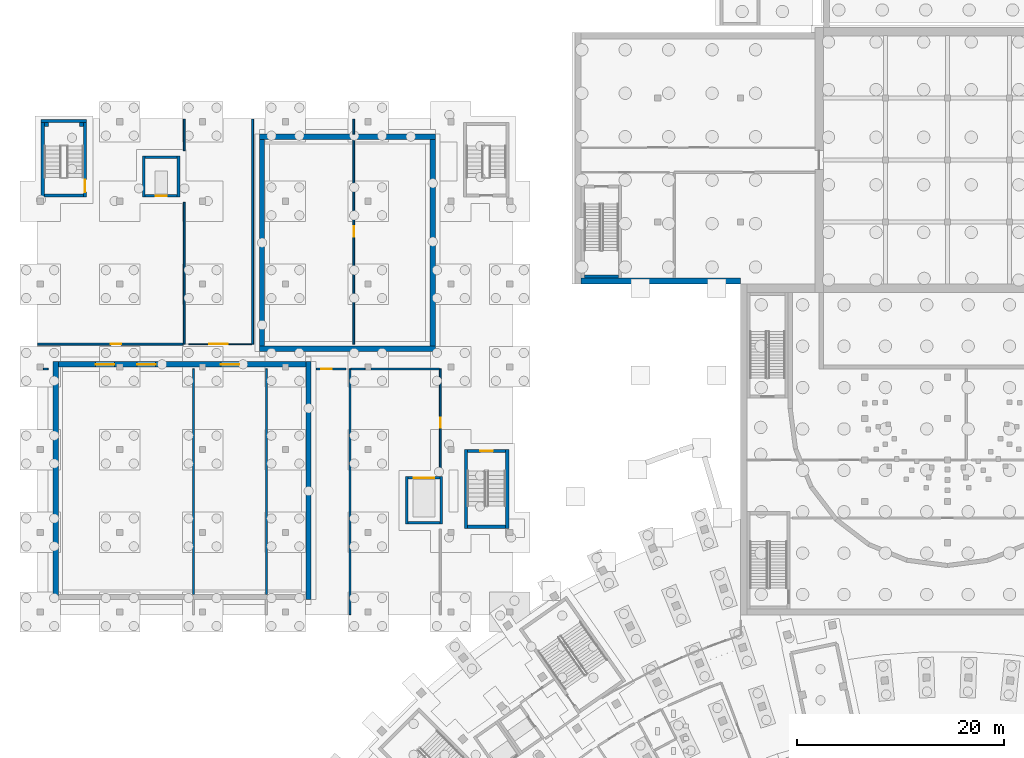
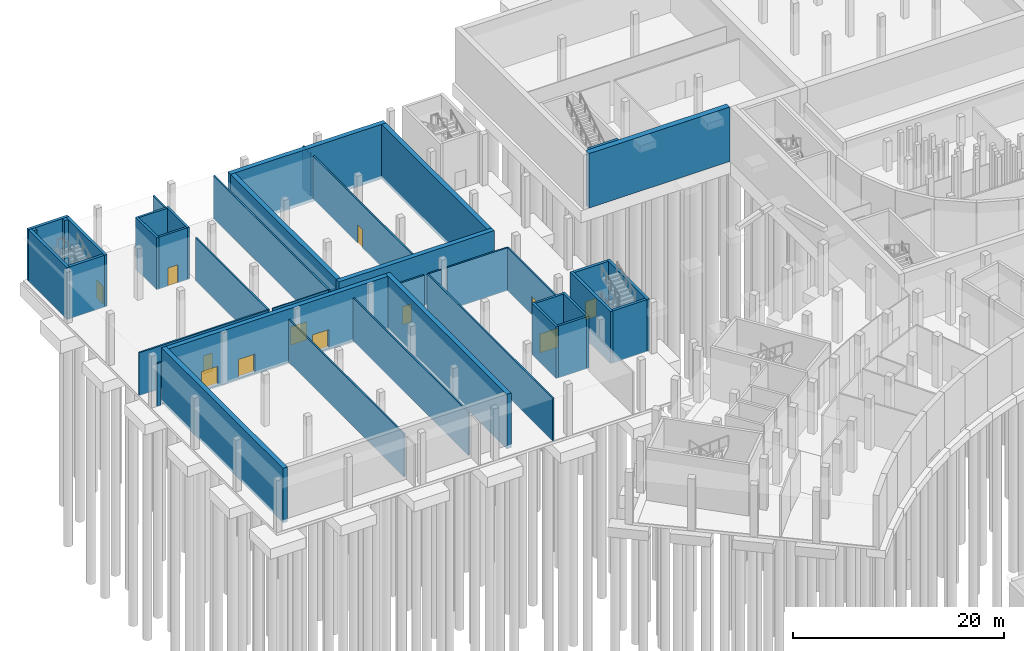
# One storey, part 24 of 66: 42 walls, 12 doors, 12 openings.
"""IFC4 building model written with IfcOpenShell, lengths in metres."""

from ifc_helpers import new_model, si_unit, direction, frame, frame_2d, origin, place, context, subcontext, project, spatial, rectangle, extrude, material, layer, layer_set, type_object, element, fill, save


model = new_model("IFC4")

# Units and contexts
model_context = context("Model", 3, precision=1e-05, world=origin(), true_north=direction((0.0, 1.0)))
body_context = subcontext(model_context, "Body", "Model", "MODEL_VIEW")
ifc_project = project(units=[si_unit("LENGTHUNIT", "METRE"), si_unit("AREAUNIT", "SQUARE_METRE"), si_unit("VOLUMEUNIT", "CUBIC_METRE"), si_unit("PLANEANGLEUNIT", "RADIAN"), si_unit("MASSUNIT", "GRAM", prefix="KILO")], contexts=[model_context])

# Site, building, storey
site_placement = place(None, origin())
site = spatial("IfcSite", under=ifc_project, at=site_placement, CompositionType="ELEMENT")
building_placement = place(site_placement, origin())
building = spatial("IfcBuilding", under=site, at=building_placement, Name="Lunette Opera House", CompositionType="ELEMENT")
storey_placement = place(building_placement, frame((0.0, 0.0, -6.0)))
storey = spatial("IfcBuildingStorey", under=building, at=storey_placement, Name="B1", CompositionType="ELEMENT", Elevation=-6.0)

# Walls
ifc_material_1 = material(Name="Plastered clay blockwork", Category="masonry")
ifc_layer_1 = layer(ifc_material_1, 0.175048828125)
ifc_layer_set_1 = layer_set([ifc_layer_1], Name="Plastered clay blockwork")
wall_type_1 = type_object("IfcWallType", Name="ACOUSTIC BLOCK PARTITION 175", PredefinedType="PARTITIONING", material=ifc_layer_set_1)
for number, where, z_axis, x_axis, name in (
    (1, (23.126953125, 87.800048828125, 0.0), (0.0, 0.0, 1.0), (0.0, -1.0, 0.0), "Partition Chorus Locker Room"),
    (2, (30.18603515625, 87.800048828125, 0.0), (0.0, 0.0, 1.0), (0.0, -1.0, 0.0), "Partition Rehearsal Wing Plant Room"),
):
    element("IfcWall", number, at=place(storey_placement, frame(where, z_axis=z_axis, x_axis=x_axis)), inside=storey, type_object=wall_type_1, Name=name, PredefinedType="PARTITIONING", context=body_context, shape_type="SweptSolid", body=[
        extrude(rectangle(XDim=21.799072265625, YDim=0.175048828125, at=frame_2d((10.8994140625, 0.0))), origin(), (0.0, 0.0, 1.0), 4.949951171875),
    ])
wall_1_placement = place(storey_placement, frame((38.25390625, 64.050048828125, 0.0), z_axis=(0.0, 0.0, 1.0), x_axis=(0.0, 1.0, 0.0)))
element("IfcWall", 3, at=wall_1_placement, inside=storey, type_object=wall_type_1, Name="Partition Rehearsal Wing Plant Room", PredefinedType="PARTITIONING", context=body_context, shape_type="SweptSolid", body=[
    extrude(rectangle(XDim=23.75, YDim=0.175048828125, at=frame_2d((11.875, 0.0))), origin(), (0.0, 0.0, 1.0), 4.949951171875),
])
wall_2_placement = place(storey_placement, frame((22.23095703125, 108.89990234375, 0.0), z_axis=(0.0, 0.0, 1.0), x_axis=(0.0, 1.0, 0.0)))
element("IfcWall", 4, at=wall_2_placement, inside=storey, type_object=wall_type_1, Name="Partition Instrument Store", PredefinedType="PARTITIONING", context=body_context, shape_type="SweptSolid", body=[
    extrude(rectangle(XDim=3.050048828125, YDim=0.175048828125, at=frame_2d((1.52490234375, 0.0))), origin(), (0.0, 0.0, 1.0), 4.949951171875),
])
wall_3_placement = place(storey_placement, frame((22.23095703125, 90.199951171875, 0.0), z_axis=(0.0, 0.0, 1.0), x_axis=(0.0, 1.0, 0.0)))
element("IfcWall", 5, at=wall_3_placement, inside=storey, type_object=wall_type_1, Name="Partition Instrument Store", PredefinedType="PARTITIONING", context=body_context, shape_type="SweptSolid", body=[
    extrude(rectangle(XDim=13.699951171875, YDim=0.175048828125, at=frame_2d((6.85009765625, 0.0))), origin(), (0.0, 0.0, 1.0), 4.949951171875),
])
wall_4_placement = place(storey_placement, frame((28.8369140625, 111.949951171875, 0.0), z_axis=(0.0, 0.0, 1.0), x_axis=(0.0, -1.0, 0.0)))
element("IfcWall", 6, at=wall_4_placement, inside=storey, type_object=wall_type_1, Name="Partition Switchgear Room", PredefinedType="PARTITIONING", context=body_context, shape_type="SweptSolid", body=[
    extrude(rectangle(XDim=21.75, YDim=0.175048828125, at=frame_2d((10.875, 0.0))), origin(), (0.0, 0.0, 1.0), 4.949951171875),
])
wall_5_placement = place(storey_placement, frame((38.613037109375, 110.5009765625, 0.0), z_axis=(0.0, 0.0, 1.0), x_axis=(0.0, 1.0, 0.0)))
element("IfcWall", 7, at=wall_5_placement, inside=storey, type_object=wall_type_1, Name="Partition Switchgear Room", PredefinedType="PARTITIONING", context=body_context, shape_type="SweptSolid", body=[
    extrude(rectangle(XDim=1.448974609375, YDim=0.175048828125, at=frame_2d((0.724609375, 0.0))), origin(), (0.0, 0.0, 1.0), 4.949951171875),
])

# Wall, opening, door
wall_6_placement = place(storey_placement, frame((38.613037109375, 90.199951171875, 0.0), z_axis=(0.0, 0.0, 1.0), x_axis=(0.0, 1.0, 0.0)))
wall_6 = element("IfcWall", 8, at=wall_6_placement, inside=storey, type_object=wall_type_1, Name="Partition Switchgear Room", PredefinedType="PARTITIONING", context=body_context, shape_type="SweptSolid", body=[
    extrude(rectangle(XDim=19.799072265625, YDim=0.175048828125, at=frame_2d((9.8994140625, 0.0))), origin(), (0.0, 0.0, 1.0), 4.949951171875),
])
opening_1_placement = place(wall_6_placement, frame((10.39990234375, 0.0, 0.0)))
opening_1 = element("IfcOpeningElement", 9, at=opening_1_placement, cuts=wall_6, Name="Opening RW-D3007", PredefinedType="OPENING", context=body_context, shape_type="SweptSolid", body=[
    extrude(rectangle(XDim=1.0, YDim=2.10009765625, at=frame_2d((0.5, 1.050048828125))), frame((0.0, 0.099609375, 0.0), z_axis=(0.0, -1.0, 0.0), x_axis=(1.0, 0.0, 0.0)), (0.0, 0.0, 1.0), 0.198974609375),
])
ifc_material_2 = material(Name="Timber", Category="wood")
door_type_1 = type_object("IfcDoorType", Name="FLUSH DOOR 1000 X 2100", OperationType="SINGLE_SWING_LEFT", PredefinedType="DOOR", material=ifc_material_2)
door_1_placement = place(opening_1_placement, origin())
door_1 = element("IfcDoor", 10, at=door_1_placement, inside=storey, type_object=door_type_1, Name="Switchgear Room door", OperationType="SINGLE_SWING_RIGHT", OverallHeight=2.10009765625, OverallWidth=1.0, PredefinedType="DOOR", context=body_context, shape_type="SweptSolid", body=[
    extrude(rectangle(XDim=1.0, YDim=2.10009765625, at=frame_2d((0.5, 1.050048828125))), frame((0.0, 0.02490234375, 0.0), z_axis=(0.0, -1.0, 0.0), x_axis=(1.0, 0.0, 0.0)), (0.0, 0.0, 1.0), 0.050048828125),
])
fill(opening_1, door_1)

# Wall
wall_7_placement = place(storey_placement, frame((8.60107421875, 87.800048828125, 0.0), z_axis=(0.0, 0.0, 1.0), x_axis=(1.0, 0.0, 0.0)))
element("IfcWall", 11, at=wall_7_placement, inside=storey, type_object=wall_type_1, Name="Partition Service Corridor B1 Rehearsal", PredefinedType="PARTITIONING", context=body_context, shape_type="SweptSolid", body=[
    extrude(rectangle(XDim=0.458984375, YDim=0.175048828125, at=frame_2d((0.2294921875, 0.0))), origin(), (0.0, 0.0, 1.0), 4.949951171875),
])

# Wall, opening, door
wall_8_placement = place(storey_placement, frame((8.050048828125, 90.199951171875, 0.0), z_axis=(0.0, 0.0, 1.0), x_axis=(1.0, 0.0, 0.0)))
wall_8 = element("IfcWall", 12, at=wall_8_placement, inside=storey, type_object=wall_type_1, Name="Partition Instrument Store", PredefinedType="PARTITIONING", context=body_context, shape_type="SweptSolid", body=[
    extrude(rectangle(XDim=14.093017578125, YDim=0.175048828125, at=frame_2d((7.04638671875, 0.0))), origin(), (0.0, 0.0, 1.0), 4.949951171875),
])
opening_2_placement = place(wall_8_placement, frame((7.06591796875, 0.0, 0.0)))
opening_2 = element("IfcOpeningElement", 13, at=opening_2_placement, cuts=wall_8, Name="Opening RW-D3003", PredefinedType="OPENING", context=body_context, shape_type="SweptSolid", body=[
    extrude(rectangle(XDim=1.0, YDim=2.10009765625, at=frame_2d((0.5, 1.050048828125))), frame((0.0, 0.099609375, 0.0), z_axis=(0.0, -1.0, 0.0), x_axis=(1.0, 0.0, 0.0)), (0.0, 0.0, 1.0), 0.198974609375),
])
door_2_placement = place(opening_2_placement, origin())
door_2 = element("IfcDoor", 14, at=door_2_placement, inside=storey, type_object=door_type_1, Name="Instrument Store door", OperationType="SINGLE_SWING_RIGHT", OverallHeight=2.10009765625, OverallWidth=1.0, PredefinedType="DOOR", context=body_context, shape_type="SweptSolid", body=[
    extrude(rectangle(XDim=1.0, YDim=2.10009765625, at=frame_2d((0.5, 1.050048828125))), frame((0.0, 0.02490234375, 0.0), z_axis=(0.0, -1.0, 0.0), x_axis=(1.0, 0.0, 0.0)), (0.0, 0.0, 1.0), 0.050048828125),
])
fill(opening_2, door_2)

wall_9_placement = place(storey_placement, frame((46.97412109375, 77.89990234375, 0.0), z_axis=(0.0, 0.0, 1.0), x_axis=(0.0, 1.0, 0.0)))
wall_9 = element("IfcWall", 15, at=wall_9_placement, inside=storey, type_object=wall_type_1, Name="Partition Generator Room", PredefinedType="PARTITIONING", context=body_context, shape_type="SweptSolid", body=[
    extrude(rectangle(XDim=9.900146484375, YDim=0.175048828125, at=frame_2d((4.9501953125, 0.0))), origin(), (0.0, 0.0, 1.0), 4.949951171875),
])
opening_3_placement = place(wall_9_placement, frame((4.199951171875, 0.0, 0.0)))
opening_3 = element("IfcOpeningElement", 16, at=opening_3_placement, cuts=wall_9, Name="Opening RW-D3008", PredefinedType="OPENING", context=body_context, shape_type="SweptSolid", body=[
    extrude(rectangle(XDim=1.0, YDim=2.10009765625, at=frame_2d((0.5, 1.050048828125))), frame((0.0, 0.099609375, 0.0), z_axis=(0.0, -1.0, 0.0), x_axis=(1.0, 0.0, 0.0)), (0.0, 0.0, 1.0), 0.198974609375),
])
door_3_placement = place(opening_3_placement, origin())
door_3 = element("IfcDoor", 17, at=door_3_placement, inside=storey, type_object=door_type_1, Name="Generator Room door", OperationType="SINGLE_SWING_LEFT", OverallHeight=2.10009765625, OverallWidth=1.0, PredefinedType="DOOR", context=body_context, shape_type="SweptSolid", body=[
    extrude(rectangle(XDim=1.0, YDim=2.10009765625, at=frame_2d((0.5, 1.050048828125))), frame((0.0, 0.02490234375, 0.0), z_axis=(0.0, -1.0, 0.0), x_axis=(1.0, 0.0, 0.0)), (0.0, 0.0, 1.0), 0.050048828125),
])
fill(opening_3, door_3)

# Walls
wall_10_placement = place(storey_placement, frame((39.699951171875, 87.800048828125, 0.0), z_axis=(0.0, 0.0, 1.0), x_axis=(-1.0, 0.0, 0.0)))
element("IfcWall", 18, at=wall_10_placement, inside=storey, type_object=wall_type_1, Name="Partition Generator Room", PredefinedType="PARTITIONING", context=body_context, shape_type="SweptSolid", body=[
    extrude(rectangle(XDim=1.35791015625, YDim=0.175048828125, at=frame_2d((0.678955078125, 0.0))), origin(), (0.0, 0.0, 1.0), 4.949951171875),
])
wall_11_placement = place(storey_placement, frame((46.885986328125, 87.800048828125, 0.0), z_axis=(0.0, 0.0, 1.0), x_axis=(-1.0, 0.0, 0.0)))
element("IfcWall", 19, at=wall_11_placement, inside=storey, type_object=wall_type_1, Name="Partition Generator Room", PredefinedType="PARTITIONING", context=body_context, shape_type="SweptSolid", body=[
    extrude(rectangle(XDim=6.5859375, YDim=0.175048828125, at=frame_2d((3.29296875, 0.0))), origin(), (0.0, 0.0, 1.0), 4.949951171875),
])

# Wall, opening, door
wall_12_placement = place(storey_placement, frame((37.842041015625, 87.800048828125, 0.0), z_axis=(0.0, 0.0, 1.0), x_axis=(-1.0, 0.0, 0.0)))
wall_12 = element("IfcWall", 20, at=wall_12_placement, inside=storey, type_object=wall_type_1, Name="Partition Rehearsal Wing Plant Room", PredefinedType="PARTITIONING", context=body_context, shape_type="SweptSolid", body=[
    extrude(rectangle(XDim=2.842041015625, YDim=0.175048828125, at=frame_2d((1.4208984375, 0.0))), origin(), (0.0, 0.0, 1.0), 4.949951171875),
])
opening_4_placement = place(wall_12_placement, frame((1.3720703125, 0.0, 0.0)))
opening_4 = element("IfcOpeningElement", 21, at=opening_4_placement, cuts=wall_12, Name="Opening RW-D3006", PredefinedType="OPENING", context=body_context, shape_type="SweptSolid", body=[
    extrude(rectangle(XDim=1.0, YDim=2.10009765625, at=frame_2d((0.5, 1.050048828125))), frame((0.0, 0.099609375, 0.0), z_axis=(0.0, -1.0, 0.0), x_axis=(1.0, 0.0, 0.0)), (0.0, 0.0, 1.0), 0.198974609375),
])
door_4_placement = place(opening_4_placement, origin())
door_4 = element("IfcDoor", 22, at=door_4_placement, inside=storey, type_object=door_type_1, Name="Rehearsal Wing Plant Room door", OperationType="SINGLE_SWING_RIGHT", OverallHeight=2.10009765625, OverallWidth=1.0, PredefinedType="DOOR", context=body_context, shape_type="SweptSolid", body=[
    extrude(rectangle(XDim=1.0, YDim=2.10009765625, at=frame_2d((0.5, 1.050048828125))), frame((0.0, 0.02490234375, 0.0), z_axis=(0.0, -1.0, 0.0), x_axis=(1.0, 0.0, 0.0)), (0.0, 0.0, 1.0), 0.050048828125),
])
fill(opening_4, door_4)

# Walls
ifc_material_3 = material(Name="Concrete C35/45", Category="concrete")
ifc_layer_2 = layer(ifc_material_3, 0.25)
ifc_layer_set_2 = layer_set([ifc_layer_2], Name="Concrete C35/45")
wall_type_2 = type_object("IfcWallType", Name="RC LIFT SHAFT WALL 250", PredefinedType="SOLIDWALL", material=ifc_layer_set_2)
wall_13_placement = place(storey_placement, frame((21.675048828125, 104.39990234375, 0.0), z_axis=(0.0, 0.0, 1.0), x_axis=(0.0, 1.0, 0.0)))
element("IfcWall", 23, at=wall_13_placement, inside=storey, type_object=wall_type_2, Name="LF5 shaft wall 1", PredefinedType="SOLIDWALL", context=body_context, shape_type="SweptSolid", body=[
    extrude(rectangle(XDim=4.0, YDim=0.25, at=frame_2d((2.0, 0.0))), origin(), (0.0, 0.0, 1.0), 6.0),
])
wall_14_placement = place(storey_placement, frame((21.550048828125, 108.27490234375, 0.0), z_axis=(0.0, 0.0, 1.0), x_axis=(-1.0, 0.0, 0.0)))
element("IfcWall", 24, at=wall_14_placement, inside=storey, type_object=wall_type_2, Name="LF5 shaft wall 2", PredefinedType="SOLIDWALL", context=body_context, shape_type="SweptSolid", body=[
    extrude(rectangle(XDim=3.10009765625, YDim=0.25, at=frame_2d((1.550048828125, 0.0))), origin(), (0.0, 0.0, 1.0), 6.0),
])
wall_15_placement = place(storey_placement, frame((18.324951171875, 108.39990234375, 0.0), z_axis=(0.0, 0.0, 1.0), x_axis=(0.0, -1.0, 0.0)))
element("IfcWall", 25, at=wall_15_placement, inside=storey, type_object=wall_type_2, Name="LF5 shaft wall 3", PredefinedType="SOLIDWALL", context=body_context, shape_type="SweptSolid", body=[
    extrude(rectangle(XDim=4.0, YDim=0.25, at=frame_2d((2.0, 0.0))), origin(), (0.0, 0.0, 1.0), 6.0),
])

# Wall, opening, door
wall_16_placement = place(storey_placement, frame((18.449951171875, 104.52490234375, 0.0), z_axis=(0.0, 0.0, 1.0), x_axis=(1.0, 0.0, 0.0)))
wall_16 = element("IfcWall", 26, at=wall_16_placement, inside=storey, type_object=wall_type_2, Name="LF5 shaft wall 4", PredefinedType="SOLIDWALL", context=body_context, shape_type="SweptSolid", body=[
    extrude(rectangle(XDim=3.10009765625, YDim=0.25, at=frame_2d((1.550048828125, 0.0))), origin(), (0.0, 0.0, 1.0), 6.0),
])
opening_5_placement = place(wall_16_placement, frame((1.0, 0.0, 0.0)))
opening_5 = element("IfcOpeningElement", 27, at=opening_5_placement, cuts=wall_16, Name="Opening RW-LD001", PredefinedType="OPENING", context=body_context, shape_type="SweptSolid", body=[
    extrude(rectangle(XDim=1.10009765625, YDim=2.10009765625, at=frame_2d((0.550048828125, 1.050048828125))), frame((0.0, 0.136962890625, 0.0), z_axis=(0.0, -1.0, 0.0), x_axis=(1.0, 0.0, 0.0)), (0.0, 0.0, 1.0), 0.27392578125),
])
ifc_material_4 = material(Name="Stainless steel", Category="steel")
door_type_2 = type_object("IfcDoorType", Name="LIFT LANDING DOOR 1100 X 2100", OperationType="DOUBLE_DOOR_SLIDING", PredefinedType="DOOR", material=ifc_material_4)
door_5_placement = place(opening_5_placement, origin())
door_5 = element("IfcDoor", 28, at=door_5_placement, inside=storey, type_object=door_type_2, Name="LF5 lift landing door", OperationType="DOUBLE_DOOR_SLIDING", OverallHeight=2.10009765625, OverallWidth=1.10009765625, PredefinedType="DOOR", context=body_context, shape_type="SweptSolid", body=[
    extrude(rectangle(XDim=1.10009765625, YDim=2.10009765625, at=frame_2d((0.550048828125, 1.050048828125))), frame((0.0, 0.02490234375, 0.0), z_axis=(0.0, -1.0, 0.0), x_axis=(1.0, 0.0, 0.0)), (0.0, 0.0, 1.0), 0.050048828125),
])
fill(opening_5, door_5)

# Wall
wall_17_placement = place(storey_placement, frame((47.074951171875, 72.800048828125, 0.0), z_axis=(0.0, 0.0, 1.0), x_axis=(0.0, 1.0, 0.0)))
element("IfcWall", 29, at=wall_17_placement, inside=storey, type_object=wall_type_2, Name="LG1 shaft wall 1", PredefinedType="SOLIDWALL", context=body_context, shape_type="SweptSolid", body=[
    extrude(rectangle(XDim=4.599853515625, YDim=0.25, at=frame_2d((2.2998046875, 0.0))), origin(), (0.0, 0.0, 1.0), 6.0),
])

# Wall, opening, door
wall_18_placement = place(storey_placement, frame((46.949951171875, 77.27490234375, 0.0), z_axis=(0.0, 0.0, 1.0), x_axis=(-1.0, 0.0, 0.0)))
wall_18 = element("IfcWall", 30, at=wall_18_placement, inside=storey, type_object=wall_type_2, Name="LG1 shaft wall 2", PredefinedType="SOLIDWALL", context=body_context, shape_type="SweptSolid", body=[
    extrude(rectangle(XDim=3.099853515625, YDim=0.25, at=frame_2d((1.5498046875, 0.0))), origin(), (0.0, 0.0, 1.0), 6.0),
])
opening_6_placement = place(wall_18_placement, frame((0.550048828125, 0.0, 0.0)))
opening_6 = element("IfcOpeningElement", 31, at=opening_6_placement, cuts=wall_18, Name="Opening RW-LD007", PredefinedType="OPENING", context=body_context, shape_type="SweptSolid", body=[
    extrude(rectangle(XDim=2.0, YDim=2.199951171875, at=frame_2d((1.0, 1.10009765625))), frame((0.0, 0.136962890625, 0.0), z_axis=(0.0, -1.0, 0.0), x_axis=(1.0, 0.0, 0.0)), (0.0, 0.0, 1.0), 0.27392578125),
])
ifc_material_5 = material(Name="Stainless steel", Category="steel")
door_type_3 = type_object("IfcDoorType", Name="LIFT LANDING DOOR 2000 X 2200", OperationType="DOUBLE_DOOR_SLIDING", PredefinedType="DOOR", material=ifc_material_5)
door_6_placement = place(opening_6_placement, origin())
door_6 = element("IfcDoor", 32, at=door_6_placement, inside=storey, type_object=door_type_3, Name="LG1 lift landing door", OperationType="DOUBLE_DOOR_SLIDING", OverallHeight=2.199951171875, OverallWidth=2.0, PredefinedType="DOOR", context=body_context, shape_type="SweptSolid", body=[
    extrude(rectangle(XDim=2.0, YDim=2.199951171875, at=frame_2d((1.0, 1.10009765625))), frame((0.0, 0.02490234375, 0.0), z_axis=(0.0, -1.0, 0.0), x_axis=(1.0, 0.0, 0.0)), (0.0, 0.0, 1.0), 0.050048828125),
])
fill(opening_6, door_6)

# Walls
wall_19_placement = place(storey_placement, frame((43.72509765625, 77.39990234375, 0.0), z_axis=(0.0, 0.0, 1.0), x_axis=(0.0, -1.0, 0.0)))
element("IfcWall", 33, at=wall_19_placement, inside=storey, type_object=wall_type_2, Name="LG1 shaft wall 3", PredefinedType="SOLIDWALL", context=body_context, shape_type="SweptSolid", body=[
    extrude(rectangle(XDim=4.599853515625, YDim=0.25, at=frame_2d((2.2998046875, 0.0))), origin(), (0.0, 0.0, 1.0), 6.0),
])
wall_20_placement = place(storey_placement, frame((43.85009765625, 72.925048828125, 0.0), z_axis=(0.0, 0.0, 1.0), x_axis=(1.0, 0.0, 0.0)))
element("IfcWall", 34, at=wall_20_placement, inside=storey, type_object=wall_type_2, Name="LG1 shaft wall 4", PredefinedType="SOLIDWALL", context=body_context, shape_type="SweptSolid", body=[
    extrude(rectangle(XDim=3.099853515625, YDim=0.25, at=frame_2d((1.5498046875, 0.0))), origin(), (0.0, 0.0, 1.0), 6.0),
])
ifc_material_6 = material(Name="Concrete C35/45", Category="concrete")
ifc_layer_3 = layer(ifc_material_6, 0.39990234375)
ifc_layer_set_3 = layer_set([ifc_layer_3], Name="Concrete C35/45")
wall_type_3 = type_object("IfcWallType", Name="RC PILASTER 400", PredefinedType="SOLIDWALL", material=ifc_layer_set_3)
wall_21_placement = place(storey_placement, frame((12.5, 111.43505859375, 0.0), z_axis=(0.0, 0.0, 1.0), x_axis=(-1.0, 0.0, 0.0)))
element("IfcWall", 35, at=wall_21_placement, inside=storey, type_object=wall_type_3, Name="ST15 pilaster 1", PredefinedType="SOLIDWALL", context=body_context, shape_type="SweptSolid", body=[
    extrude(rectangle(XDim=0.39990234375, YDim=0.39990234375, at=frame_2d((0.199951171875, 0.0))), origin(), (0.0, 0.0, 1.0), 6.0),
])
wall_22_placement = place(storey_placement, frame((9.10009765625, 111.43505859375, 0.0), z_axis=(0.0, 0.0, 1.0), x_axis=(-1.0, 0.0, 0.0)))
element("IfcWall", 36, at=wall_22_placement, inside=storey, type_object=wall_type_3, Name="ST15 pilaster 2", PredefinedType="SOLIDWALL", context=body_context, shape_type="SweptSolid", body=[
    extrude(rectangle(XDim=0.400146484375, YDim=0.39990234375, at=frame_2d((0.2001953125, 0.0))), origin(), (0.0, 0.0, 1.0), 6.0),
])
ifc_material_7 = material(Name="Concrete C35/45", Category="concrete")
ifc_layer_4 = layer(ifc_material_7, 0.300048828125)
ifc_layer_set_4 = layer_set([ifc_layer_4], Name="Concrete C35/45")
wall_type_4 = type_object("IfcWallType", Name="RC STAIR ENCLOSURE WALL 300", PredefinedType="SOLIDWALL", material=ifc_layer_set_4)
wall_23_placement = place(storey_placement, frame((60.89990234375, 96.75, 0.0), z_axis=(0.0, 0.0, 1.0), x_axis=(1.0, 0.0, 0.0)))
element("IfcWall", 37, at=wall_23_placement, inside=storey, type_object=wall_type_4, Name="ST13 enclosure wall 4", PredefinedType="SOLIDWALL", context=body_context, shape_type="SweptSolid", body=[
    extrude(rectangle(XDim=3.300048828125, YDim=0.300048828125, at=frame_2d((1.64990234375, 0.0))), origin(), (0.0, 0.0, 1.0), 6.0),
])

# Wall, opening, door
wall_24_placement = place(storey_placement, frame((12.64990234375, 104.39990234375, 0.0), z_axis=(0.0, 0.0, 1.0), x_axis=(0.0, 1.0, 0.0)))
wall_24 = element("IfcWall", 38, at=wall_24_placement, inside=storey, type_object=wall_type_4, Name="ST15 enclosure wall 1", PredefinedType="SOLIDWALL", context=body_context, shape_type="SweptSolid", body=[
    extrude(rectangle(XDim=7.235107421875, YDim=0.300048828125, at=frame_2d((3.61767578125, 0.0))), origin(), (0.0, 0.0, 1.0), 6.0),
])
opening_7_placement = place(wall_24_placement, frame((0.5, 0.0, 0.0)))
opening_7 = element("IfcOpeningElement", 39, at=opening_7_placement, cuts=wall_24, Name="Opening RW-D7001", PredefinedType="OPENING", context=body_context, shape_type="SweptSolid", body=[
    extrude(rectangle(XDim=1.199951171875, YDim=2.10009765625, at=frame_2d((0.60009765625, 1.050048828125))), frame((0.0, 0.162109375, 0.0), z_axis=(0.0, -1.0, 0.0), x_axis=(1.0, 0.0, 0.0)), (0.0, 0.0, 1.0), 0.323974609375),
])
ifc_material_8 = material(Name="Steel", Category="steel")
door_type_4 = type_object("IfcDoorType", Name="FIRE DOOR 1200 X 2100", OperationType="SINGLE_SWING_LEFT", PredefinedType="DOOR", material=ifc_material_8)
door_7_placement = place(opening_7_placement, origin())
door_7 = element("IfcDoor", 40, at=door_7_placement, inside=storey, type_object=door_type_4, Name="ST15 stair door", OperationType="SINGLE_SWING_LEFT", OverallHeight=2.10009765625, OverallWidth=1.199951171875, PredefinedType="DOOR", context=body_context, shape_type="SweptSolid", body=[
    extrude(rectangle(XDim=1.199951171875, YDim=2.10009765625, at=frame_2d((0.60009765625, 1.050048828125))), frame((0.0, 0.02490234375, 0.0), z_axis=(0.0, -1.0, 0.0), x_axis=(1.0, 0.0, 0.0)), (0.0, 0.0, 1.0), 0.050048828125),
])
fill(opening_7, door_7)

# Walls
wall_25_placement = place(storey_placement, frame((12.800048828125, 111.784912109375, 0.0), z_axis=(0.0, 0.0, 1.0), x_axis=(-1.0, 0.0, 0.0)))
element("IfcWall", 41, at=wall_25_placement, inside=storey, type_object=wall_type_4, Name="ST15 enclosure wall 2", PredefinedType="SOLIDWALL", context=body_context, shape_type="SweptSolid", body=[
    extrude(rectangle(XDim=4.400146484375, YDim=0.300048828125, at=frame_2d((2.2001953125, 0.0))), origin(), (0.0, 0.0, 1.0), 6.0),
])
wall_26_placement = place(storey_placement, frame((8.550048828125, 111.635009765625, 0.0), z_axis=(0.0, 0.0, 1.0), x_axis=(0.0, -1.0, 0.0)))
element("IfcWall", 42, at=wall_26_placement, inside=storey, type_object=wall_type_4, Name="ST15 enclosure wall 3", PredefinedType="SOLIDWALL", context=body_context, shape_type="SweptSolid", body=[
    extrude(rectangle(XDim=7.235107421875, YDim=0.300048828125, at=frame_2d((3.61767578125, 0.0))), origin(), (0.0, 0.0, 1.0), 6.0),
])
wall_27_placement = place(storey_placement, frame((8.699951171875, 104.550048828125, 0.0), z_axis=(0.0, 0.0, 1.0), x_axis=(1.0, 0.0, 0.0)))
element("IfcWall", 43, at=wall_27_placement, inside=storey, type_object=wall_type_4, Name="ST15 enclosure wall 4", PredefinedType="SOLIDWALL", context=body_context, shape_type="SweptSolid", body=[
    extrude(rectangle(XDim=3.800048828125, YDim=0.300048828125, at=frame_2d((1.89990234375, 0.0))), origin(), (0.0, 0.0, 1.0), 6.0),
])
wall_28_placement = place(storey_placement, frame((53.449951171875, 72.39990234375, 0.0), z_axis=(0.0, 0.0, 1.0), x_axis=(0.0, 1.0, 0.0)))
element("IfcWall", 44, at=wall_28_placement, inside=storey, type_object=wall_type_4, Name="ST16 enclosure wall 1", PredefinedType="SOLIDWALL", context=body_context, shape_type="SweptSolid", body=[
    extrude(rectangle(XDim=7.60009765625, YDim=0.300048828125, at=frame_2d((3.800048828125, 0.0))), origin(), (0.0, 0.0, 1.0), 6.0),
])

# Wall, opening, door
wall_29_placement = place(storey_placement, frame((53.300048828125, 79.85009765625, 0.0), z_axis=(0.0, 0.0, 1.0), x_axis=(-1.0, 0.0, 0.0)))
wall_29 = element("IfcWall", 45, at=wall_29_placement, inside=storey, type_object=wall_type_4, Name="ST16 enclosure wall 2", PredefinedType="SOLIDWALL", context=body_context, shape_type="SweptSolid", body=[
    extrude(rectangle(XDim=3.699951171875, YDim=0.300048828125, at=frame_2d((1.85009765625, 0.0))), origin(), (0.0, 0.0, 1.0), 6.0),
])
opening_8_placement = place(wall_29_placement, frame((1.25, 0.0, 0.0)))
opening_8 = element("IfcOpeningElement", 46, at=opening_8_placement, cuts=wall_29, Name="Opening RW-D7007", PredefinedType="OPENING", context=body_context, shape_type="SweptSolid", body=[
    extrude(rectangle(XDim=1.199951171875, YDim=2.10009765625, at=frame_2d((0.60009765625, 1.050048828125))), frame((0.0, 0.162109375, 0.0), z_axis=(0.0, -1.0, 0.0), x_axis=(1.0, 0.0, 0.0)), (0.0, 0.0, 1.0), 0.323974609375),
])
door_8_placement = place(opening_8_placement, origin())
door_8 = element("IfcDoor", 47, at=door_8_placement, inside=storey, type_object=door_type_4, Name="ST16 stair door", OperationType="SINGLE_SWING_LEFT", OverallHeight=2.10009765625, OverallWidth=1.199951171875, PredefinedType="DOOR", context=body_context, shape_type="SweptSolid", body=[
    extrude(rectangle(XDim=1.199951171875, YDim=2.10009765625, at=frame_2d((0.60009765625, 1.050048828125))), frame((0.0, 0.02490234375, 0.0), z_axis=(0.0, -1.0, 0.0), x_axis=(1.0, 0.0, 0.0)), (0.0, 0.0, 1.0), 0.050048828125),
])
fill(opening_8, door_8)

# Walls
wall_30_placement = place(storey_placement, frame((49.449951171875, 80.0, 0.0), z_axis=(0.0, 0.0, 1.0), x_axis=(0.0, -1.0, 0.0)))
element("IfcWall", 48, at=wall_30_placement, inside=storey, type_object=wall_type_4, Name="ST16 enclosure wall 3", PredefinedType="SOLIDWALL", context=body_context, shape_type="SweptSolid", body=[
    extrude(rectangle(XDim=7.60009765625, YDim=0.300048828125, at=frame_2d((3.800048828125, 0.0))), origin(), (0.0, 0.0, 1.0), 6.0),
])
wall_31_placement = place(storey_placement, frame((49.60009765625, 72.550048828125, 0.0), z_axis=(0.0, 0.0, 1.0), x_axis=(1.0, 0.0, 0.0)))
element("IfcWall", 49, at=wall_31_placement, inside=storey, type_object=wall_type_4, Name="ST16 enclosure wall 4", PredefinedType="SOLIDWALL", context=body_context, shape_type="SweptSolid", body=[
    extrude(rectangle(XDim=3.699951171875, YDim=0.300048828125, at=frame_2d((1.85009765625, 0.0))), origin(), (0.0, 0.0, 1.0), 6.0),
])
ifc_material_9 = material(Name="Concrete C35/45", Category="concrete")
ifc_layer_5 = layer(ifc_material_9, 0.5)
ifc_layer_set_5 = layer_set([ifc_layer_5], Name="Concrete C35/45")
wall_type_5 = type_object("IfcWallType", Name="RC WALL 500", PredefinedType="SHEAR", material=ifc_layer_set_5)
for number, where, z_axis, x_axis, name in (
    (50, (29.5, 89.75, -0.300048828125), (0.0, 0.0, 1.0), (1.0, 0.0, 0.0), "wall-RW-B1-OH-S-1"),
    (51, (29.5, 110.25, -0.300048828125), (0.0, 0.0, 1.0), (1.0, 0.0, 0.0), "wall-RW-B1-OH-N-1"),
):
    element("IfcWall", number, at=place(storey_placement, frame(where, z_axis=z_axis, x_axis=x_axis)), inside=storey, type_object=wall_type_5, Name=name, PredefinedType="SHEAR", context=body_context, shape_type="SweptSolid", body=[
        extrude(rectangle(XDim=17.0, YDim=0.5, at=frame_2d((8.5, 0.0))), origin(), (0.0, 0.0, 1.0), 6.300048828125),
    ])
for number, where, z_axis, x_axis, name in (
    (52, (29.75, 89.5, -0.300048828125), (0.0, 0.0, 1.0), (0.0, 1.0, 0.0), "wall-RW-B1-OH-W-1"),
    (53, (46.25, 89.5, -0.300048828125), (0.0, 0.0, 1.0), (0.0, 1.0, 0.0), "wall-RW-B1-OH-E-1"),
):
    element("IfcWall", number, at=place(storey_placement, frame(where, z_axis=z_axis, x_axis=x_axis)), inside=storey, type_object=wall_type_5, Name=name, PredefinedType="SHEAR", context=body_context, shape_type="SweptSolid", body=[
        extrude(rectangle(XDim=21.0, YDim=0.5, at=frame_2d((10.5, 0.0))), origin(), (0.0, 0.0, 1.0), 6.300048828125),
    ])

# Wall, openings, doors
wall_32_placement = place(storey_placement, frame((9.56005859375, 88.25, -0.300048828125), z_axis=(0.0, 0.0, 1.0), x_axis=(1.0, 0.0, 0.0)))
wall_32 = element("IfcWall", 54, at=wall_32_placement, inside=storey, type_object=wall_type_5, Name="wall-RW-B1-HW-N-1", PredefinedType="SHEAR", context=body_context, shape_type="SweptSolid", body=[
    extrude(rectangle(XDim=24.93994140625, YDim=0.5, at=frame_2d((12.469970703125, 0.0))), origin(), (0.0, 0.0, 1.0), 6.300048828125),
])
opening_9_placement = place(wall_32_placement, frame((4.10302734375, 0.0, 0.300048828125)))
opening_9 = element("IfcOpeningElement", 55, at=opening_9_placement, cuts=wall_32, Name="Opening RW-D3001", PredefinedType="OPENING", context=body_context, shape_type="SweptSolid", body=[
    extrude(rectangle(XDim=1.800048828125, YDim=2.10009765625, at=frame_2d((0.89990234375, 1.050048828125))), frame((0.0, 0.261962890625, 0.0), z_axis=(0.0, -1.0, 0.0), x_axis=(1.0, 0.0, 0.0)), (0.0, 0.0, 1.0), 0.52392578125),
])
opening_10_placement = place(wall_32_placement, frame((8.10302734375, 0.0, 0.300048828125)))
opening_10 = element("IfcOpeningElement", 56, at=opening_10_placement, cuts=wall_32, Name="Opening RW-D3002", PredefinedType="OPENING", context=body_context, shape_type="SweptSolid", body=[
    extrude(rectangle(XDim=1.800048828125, YDim=2.10009765625, at=frame_2d((0.89990234375, 1.050048828125))), frame((0.0, 0.261962890625, 0.0), z_axis=(0.0, -1.0, 0.0), x_axis=(1.0, 0.0, 0.0)), (0.0, 0.0, 1.0), 0.52392578125),
])
opening_11_placement = place(wall_32_placement, frame((16.196044921875, 0.0, 0.300048828125)))
opening_11 = element("IfcOpeningElement", 57, at=opening_11_placement, cuts=wall_32, Name="Opening RW-D3004", PredefinedType="OPENING", context=body_context, shape_type="SweptSolid", body=[
    extrude(rectangle(XDim=1.800048828125, YDim=2.10009765625, at=frame_2d((0.89990234375, 1.050048828125))), frame((0.0, 0.261962890625, 0.0), z_axis=(0.0, -1.0, 0.0), x_axis=(1.0, 0.0, 0.0)), (0.0, 0.0, 1.0), 0.52392578125),
])
ifc_material_10 = material(Name="Timber", Category="wood")
door_type_5 = type_object("IfcDoorType", Name="DOUBLE FLUSH DOOR 1800 X 2100", OperationType="DOUBLE_DOOR_SINGLE_SWING", PredefinedType="DOOR", material=ifc_material_10)
door_9_placement = place(opening_9_placement, origin())
door_9 = element("IfcDoor", 58, at=door_9_placement, inside=storey, type_object=door_type_5, Name="Orchestra Practice Rooms door", OperationType="DOUBLE_DOOR_SINGLE_SWING", OverallHeight=2.10009765625, OverallWidth=1.800048828125, PredefinedType="DOOR", context=body_context, shape_type="SweptSolid", body=[
    extrude(rectangle(XDim=1.800048828125, YDim=2.10009765625, at=frame_2d((0.89990234375, 1.050048828125))), frame((0.0, 0.02490234375, 0.0), z_axis=(0.0, -1.0, 0.0), x_axis=(1.0, 0.0, 0.0)), (0.0, 0.0, 1.0), 0.050048828125),
])
fill(opening_9, door_9)
door_10_placement = place(opening_10_placement, origin())
door_10 = element("IfcDoor", 59, at=door_10_placement, inside=storey, type_object=door_type_5, Name="Orchestra Practice Rooms door", OperationType="DOUBLE_DOOR_SINGLE_SWING", OverallHeight=2.10009765625, OverallWidth=1.800048828125, PredefinedType="DOOR", context=body_context, shape_type="SweptSolid", body=[
    extrude(rectangle(XDim=1.800048828125, YDim=2.10009765625, at=frame_2d((0.89990234375, 1.050048828125))), frame((0.0, 0.02490234375, 0.0), z_axis=(0.0, -1.0, 0.0), x_axis=(1.0, 0.0, 0.0)), (0.0, 0.0, 1.0), 0.050048828125),
])
fill(opening_10, door_10)
door_11_placement = place(opening_11_placement, origin())
door_11 = element("IfcDoor", 60, at=door_11_placement, inside=storey, type_object=door_type_5, Name="Chorus Locker Room door", OperationType="DOUBLE_DOOR_SINGLE_SWING", OverallHeight=2.10009765625, OverallWidth=1.800048828125, PredefinedType="DOOR", context=body_context, shape_type="SweptSolid", body=[
    extrude(rectangle(XDim=1.800048828125, YDim=2.10009765625, at=frame_2d((0.89990234375, 1.050048828125))), frame((0.0, 0.02490234375, 0.0), z_axis=(0.0, -1.0, 0.0), x_axis=(1.0, 0.0, 0.0)), (0.0, 0.0, 1.0), 0.050048828125),
])
fill(opening_11, door_11)

# Walls
for number, where, z_axis, x_axis, name in (
    (61, (9.81005859375, 65.5, -0.300048828125), (0.0, 0.0, 1.0), (0.0, 1.0, 0.0), "wall-RW-B1-HW-W-1"),
    (62, (34.25, 65.5, -0.300048828125), (0.0, 0.0, 1.0), (0.0, 1.0, 0.0), "wall-RW-B1-HW-E-1"),
):
    element("IfcWall", number, at=place(storey_placement, frame(where, z_axis=z_axis, x_axis=x_axis)), inside=storey, type_object=wall_type_5, Name=name, PredefinedType="SHEAR", context=body_context, shape_type="SweptSolid", body=[
        extrude(rectangle(XDim=23.0, YDim=0.5, at=frame_2d((11.5, 0.0))), origin(), (0.0, 0.0, 1.0), 6.300048828125),
    ])
ifc_material_11 = material(Name="Concrete C35/45", Category="concrete")
ifc_layer_6 = layer(ifc_material_11, 0.60009765625)
ifc_layer_set_6 = layer_set([ifc_layer_6], Name="Concrete C35/45")
wall_type_6 = type_object("IfcWallType", Name="RC WALL 600", PredefinedType="SHEAR", material=ifc_layer_set_6)
wall_33_placement = place(storey_placement, frame((60.60009765625, 96.300048828125, -0.300048828125), z_axis=(0.0, 0.0, 1.0), x_axis=(1.0, 0.0, 0.0)))
element("IfcWall", 63, at=wall_33_placement, inside=storey, type_object=wall_type_6, Name="wall-ST-B1-SW-S-1", PredefinedType="SHEAR", context=body_context, shape_type="SweptSolid", body=[
    extrude(rectangle(XDim=15.389892578125, YDim=0.60009765625, at=frame_2d((7.69482421875, 0.0))), origin(), (0.0, 0.0, 1.0), 6.300048828125),
])

# Wall, opening, door
ifc_material_12 = material(Name="Gypsum board on steel studs", Category="steel")
ifc_layer_7 = layer(ifc_material_12, 0.10009765625)
ifc_layer_set_7 = layer_set([ifc_layer_7], Name="Gypsum board on steel studs")
wall_type_7 = type_object("IfcWallType", Name="STUD PARTITION 100", PredefinedType="PARTITIONING", material=ifc_layer_set_7)
wall_34_placement = place(storey_placement, frame((28.7490234375, 90.199951171875, 0.0), z_axis=(0.0, 0.0, 1.0), x_axis=(-1.0, 0.0, 0.0)))
wall_34 = element("IfcWall", 64, at=wall_34_placement, inside=storey, type_object=wall_type_7, Name="Partition Service Corridor B1 Rehearsal", PredefinedType="PARTITIONING", context=body_context, shape_type="SweptSolid", body=[
    extrude(rectangle(XDim=6.10595703125, YDim=0.10009765625, at=frame_2d((3.052978515625, 0.0))), origin(), (0.0, 0.0, 1.0), 4.949951171875),
])
opening_12_placement = place(wall_34_placement, frame((2.31494140625, 0.0, 0.0)))
opening_12 = element("IfcOpeningElement", 65, at=opening_12_placement, cuts=wall_34, Name="Opening RW-D3005", PredefinedType="OPENING", context=body_context, shape_type="SweptSolid", body=[
    extrude(rectangle(XDim=1.800048828125, YDim=2.10009765625, at=frame_2d((0.89990234375, 1.050048828125))), frame((0.0, 0.06201171875, 0.0), z_axis=(0.0, -1.0, 0.0), x_axis=(1.0, 0.0, 0.0)), (0.0, 0.0, 1.0), 0.1240234375),
])
door_12_placement = place(opening_12_placement, origin())
door_12 = element("IfcDoor", 66, at=door_12_placement, inside=storey, type_object=door_type_5, Name="Music Library door", OperationType="DOUBLE_DOOR_SINGLE_SWING", OverallHeight=2.10009765625, OverallWidth=1.800048828125, PredefinedType="DOOR", context=body_context, shape_type="SweptSolid", body=[
    extrude(rectangle(XDim=1.800048828125, YDim=2.10009765625, at=frame_2d((0.89990234375, 1.050048828125))), frame((0.0, 0.02490234375, 0.0), z_axis=(0.0, -1.0, 0.0), x_axis=(1.0, 0.0, 0.0)), (0.0, 0.0, 1.0), 0.050048828125),
])
fill(opening_12, door_12)

save(model, "model.ifc")
